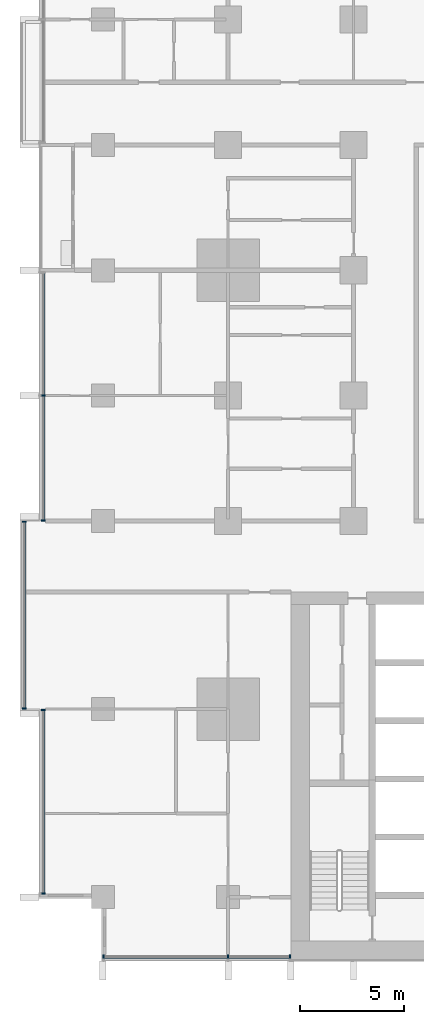
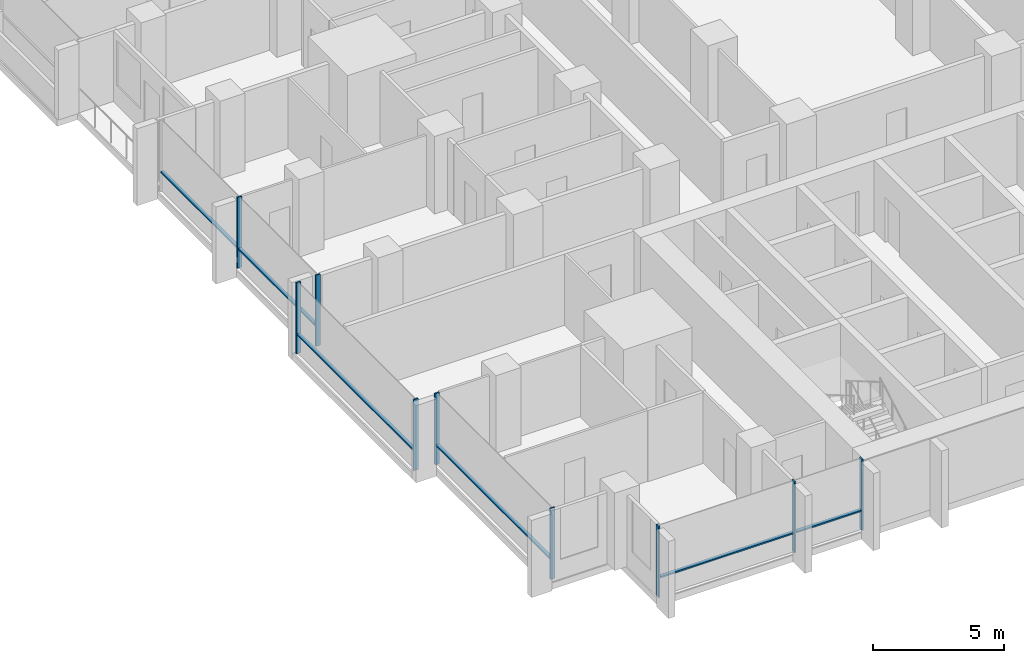
# One storey, part 2 of 18: 15 members, 4 elements without a shape of their own.
"""IFC4 building model written with IfcOpenShell, lengths in metres."""

import ifcopenshell
import ifcopenshell.guid

model = None  # the IFC model being written
_history = None  # IfcOwnerHistory: only IFC2X3 demands one
_inside = {}  # id of a spatial element -> (the spatial element, [elements in it])
_under = {}  # id of a project, library or spatial element -> (it, [spatial elements below it])
_declared = {}  # id of a project -> (the project, [libraries it declares])
_typed = {}  # id of a type object -> (the type object, [elements of that type])
_made_of = {}  # id of a material, layer set ... -> (it, [elements and type objects made of it])


def new_model(schema):
    """Start an empty IFC model of exactly this schema.

    Asked for "IFC4X3", IfcOpenShell would pick the latest addendum, in which some entities
    have other attributes; the version numbers below select the first issue.
    IFC2X3 requires an IfcOwnerHistory on every rooted entity: one is made here for all.
    """
    global model, _history
    if schema == "IFC4X3":
        model = ifcopenshell.file(schema_version=(4, 3, 0, 0))
    else:
        model = ifcopenshell.file(schema=schema)
    _inside.clear()
    _under.clear()
    _declared.clear()
    _typed.clear()
    _made_of.clear()
    _history = None
    if model.schema == "IFC2X3":
        org = make("IfcOrganization", Name="unknown")
        user = make(
            "IfcPersonAndOrganization",
            ThePerson=make("IfcPerson", FamilyName="unknown"),
            TheOrganization=org,
        )
        app = make(
            "IfcApplication",
            ApplicationDeveloper=org,
            Version="unknown",
            ApplicationFullName="unknown",
            ApplicationIdentifier="unknown",
        )
        _history = make(
            "IfcOwnerHistory",
            OwningUser=user,
            OwningApplication=app,
            ChangeAction="ADDED",
            CreationDate=0,
        )
    return model


def make(cls, **values):
    """One entity of the class cls with the attributes given. An attribute that is None is left unset."""
    return model.create_entity(
        cls, **{name: value for name, value in values.items() if value is not None}
    )


def rooted(cls, **values):
    """An entity with a GlobalId (a new one), such as an element, a storey or a relation."""
    return make(cls, GlobalId=ifcopenshell.guid.new(), OwnerHistory=_history, **values)


def si_unit(unit_type, name, prefix=None):
    """IfcSIUnit, for example si_unit("LENGTHUNIT", "METRE", prefix="MILLI")."""
    return make("IfcSIUnit", UnitType=unit_type, Prefix=prefix, Name=name)


def assignment(units):
    """IfcUnitAssignment: the units of a project."""
    return None if units is None else make("IfcUnitAssignment", Units=units)


def point(xyz):
    """IfcCartesianPoint."""
    return None if xyz is None else make("IfcCartesianPoint", Coordinates=xyz)


def direction(xyz):
    """IfcDirection."""
    return None if xyz is None else make("IfcDirection", DirectionRatios=xyz)


def frame(location, z_axis=None, x_axis=None):
    """IfcAxis2Placement3D, a coordinate frame: its origin and axes. An axis left out is left unset."""
    return make(
        "IfcAxis2Placement3D",
        Location=point(location),
        Axis=direction(z_axis),
        RefDirection=direction(x_axis),
    )


def frame_2d(location, x_axis=None):
    """IfcAxis2Placement2D, a coordinate frame in the plane: its origin and x axis."""
    return make(
        "IfcAxis2Placement2D", Location=point(location), RefDirection=direction(x_axis)
    )


def origin():
    """The frame at (0, 0, 0) with its axes left unset."""
    return frame((0.0, 0.0, 0.0))


def origin_2d():
    """The frame at (0, 0) in the plane with its x axis left unset."""
    return frame_2d((0.0, 0.0))


def place(relative_to, where):
    """IfcLocalPlacement: puts the frame where relative to a parent placement (None: the world)."""
    return make(
        "IfcLocalPlacement", PlacementRelTo=relative_to, RelativePlacement=where
    )


def context(
    kind, dimensions, precision=None, world=None, true_north=None, identifier=None
):
    """IfcGeometricRepresentationContext, for example the 3D "Model" context."""
    return make(
        "IfcGeometricRepresentationContext",
        ContextIdentifier=identifier,
        ContextType=kind,
        CoordinateSpaceDimension=dimensions,
        Precision=precision,
        WorldCoordinateSystem=world,
        TrueNorth=true_north,
    )


def subcontext(parent, identifier, kind, view, scale=None):
    """IfcGeometricRepresentationSubContext, for example "Body" below "Model"."""
    return make(
        "IfcGeometricRepresentationSubContext",
        ContextIdentifier=identifier,
        ContextType=kind,
        ParentContext=parent,
        TargetScale=scale,
        TargetView=view,
    )


def project(units=None, contexts=None):
    """IfcProject with its units and contexts."""
    return rooted(
        "IfcProject",
        Name="project",
        RepresentationContexts=contexts,
        UnitsInContext=assignment(units),
    )


def spatial(cls, under=None, at=None, **own):
    """A site, building, storey or space (cls), placed at a placement, below another one or the project."""
    s = rooted(cls, ObjectPlacement=at, **own)
    if under is not None:
        _under.setdefault(under.id(), (under, []))[1].append(s)
    return s


def profile(cls, at=None, kind="AREA", **sizes):
    """A parametric profile (cls). Its sizes go by their IFC names, for example OverallWidth=200.0."""
    return make(cls, ProfileType=kind, Position=at, **sizes)


def rectangle(**sizes):
    """IfcRectangleProfileDef."""
    return profile("IfcRectangleProfileDef", **sizes)


def extrude(swept, where, along, depth):
    """IfcExtrudedAreaSolid: the profile swept, set in the frame where, extruded along a direction by depth."""
    return make(
        "IfcExtrudedAreaSolid",
        SweptArea=swept,
        Position=where,
        ExtrudedDirection=direction(along),
        Depth=depth,
    )


def shape(context_of_items, identifier, shape_type, items):
    """IfcShapeRepresentation: the items that make up one representation, for example the "Body"."""
    return make(
        "IfcShapeRepresentation",
        ContextOfItems=context_of_items,
        RepresentationIdentifier=identifier,
        RepresentationType=shape_type,
        Items=items,
    )


def material(Name=None, Category=None):
    """IfcMaterial."""
    return make("IfcMaterial", Name=Name, Category=Category)


def material_profile(
    of_material, cross_section, Name=None, Category=None, Priority=None
):
    """IfcMaterialProfile: a cross section and its material."""
    return make(
        "IfcMaterialProfile",
        Name=Name,
        Material=of_material,
        Profile=cross_section,
        Priority=Priority,
        Category=Category,
    )


def profile_set(profiles, Name=None, composite=None):
    """IfcMaterialProfileSet."""
    return make(
        "IfcMaterialProfileSet",
        Name=Name,
        MaterialProfiles=profiles,
        CompositeProfile=composite,
    )


def made_of(thing, what):
    """Note that an element or type object is made of a material, layer set ...; save() writes the relation."""
    if what is not None:
        _made_of.setdefault(what.id(), (what, []))[1].append(thing)
    return thing


def type_object(cls, material=None, **own):
    """A type object (cls), such as IfcWallType, which elements share."""
    return made_of(rooted(cls, **own), material)


def element(
    cls,
    number,
    at=None,
    inside=None,
    cuts=None,
    type_object=None,
    material=None,
    context=None,
    identifier="Body",
    shape_type=None,
    held_by="IfcProductDefinitionShape",
    body=None,
    shapes=None,
    **own,
):
    """One element of the class cls, such as IfcWall. Its Tag is "e" and its number.

    at: its placement. inside: the storey or other place that contains it. cuts: it is an
    opening in that element (IfcRelVoidsElement). A single representation is given by context,
    identifier, shape_type and body (its items); several are given by shapes. held_by: the class
    of the entity that holds the representations. save() writes the other relations.
    """
    e = rooted(cls, Tag="e%d" % number, ObjectPlacement=at, **own)
    if body is not None:
        shapes = [shape(context, identifier, shape_type, body)]
    if shapes is not None:
        e.Representation = make(held_by, Representations=shapes)
    if inside is not None:
        _inside.setdefault(inside.id(), (inside, []))[1].append(e)
    if cuts is not None:
        rooted(
            "IfcRelVoidsElement", RelatingBuildingElement=cuts, RelatedOpeningElement=e
        )
    if type_object is not None:
        _typed.setdefault(type_object.id(), (type_object, []))[1].append(e)
    return made_of(e, material)


def aggregate(whole, parts):
    """IfcRelAggregates: a whole, such as a stair, and the parts it consists of."""
    return rooted("IfcRelAggregates", RelatingObject=whole, RelatedObjects=parts)


def save(model, path):
    """Write the relations noted so far, then the file.

    IfcRelAggregates (storeys below a building ...), IfcRelContainedInSpatialStructure (elements
    in a storey), IfcRelDefinesByType, IfcRelAssociatesMaterial and IfcRelDeclares: one each for
    every whole, place, type object, material and project.
    """
    for whole, parts in _under.values():
        aggregate(whole, parts)
    for where, things in _inside.values():
        rooted(
            "IfcRelContainedInSpatialStructure",
            RelatedElements=things,
            RelatingStructure=where,
        )
    for kind, things in _typed.values():
        rooted("IfcRelDefinesByType", RelatedObjects=things, RelatingType=kind)
    for what, things in _made_of.values():
        rooted("IfcRelAssociatesMaterial", RelatedObjects=things, RelatingMaterial=what)
    for by, libraries in _declared.values():
        rooted("IfcRelDeclares", RelatingContext=by, RelatedDefinitions=libraries)
    model.write(path)


model = new_model("IFC4")

# Units and contexts
model_context = context("Model", 3, precision=1e-05, world=origin(), true_north=direction((0.0, 1.0)))
body_context = subcontext(model_context, "Body", "Model", "MODEL_VIEW")
ifc_project = project(units=[si_unit("LENGTHUNIT", "METRE"), si_unit("AREAUNIT", "SQUARE_METRE"), si_unit("VOLUMEUNIT", "CUBIC_METRE"), si_unit("PLANEANGLEUNIT", "RADIAN"), si_unit("MASSUNIT", "GRAM", prefix="KILO")], contexts=[model_context])

# Site, building, storey
site_placement = place(None, origin())
site = spatial("IfcSite", under=ifc_project, at=site_placement, CompositionType="ELEMENT")
building_placement = place(site_placement, origin())
building = spatial("IfcBuilding", under=site, at=building_placement, Name="Finial Court Residences", CompositionType="ELEMENT")
storey_placement = place(building_placement, frame((0.0, 0.0, 39.699951171875)))
storey = spatial("IfcBuildingStorey", under=building, at=storey_placement, Name="L08", CompositionType="ELEMENT", Elevation=39.699951171875)

# Curtain wall, members
ifc_material = material(Name="Bronze anodised aluminium", Category="aluminium")
curtain_wall_type = type_object("IfcCurtainWallType", Name="Unitised curtain wall, lower and middle zones", PredefinedType="NOTDEFINED", material=ifc_material)
curtain_wall_1_placement = place(storey_placement, origin())
curtain_wall_1 = element("IfcCurtainWall", 1, at=curtain_wall_1_placement, inside=storey, type_object=curtain_wall_type, Name="E-L08-CW-S8", PredefinedType="NOTDEFINED")
ifc_material_profile_1 = material_profile(ifc_material, rectangle(XDim=0.199951171875, YDim=0.06494140625, at=origin_2d()), Name="CW1 mullion 65 x 200")
ifc_profile_set_1 = profile_set([ifc_material_profile_1], Name="Bronze anodised aluminium")
member_type_1 = type_object("IfcMemberType", Name="CW1 mullion 65 x 200", PredefinedType="MULLION", material=ifc_profile_set_1)
member_1_placement = place(storey_placement, frame((-22.467529296875, -25.35009765625, 0.0), z_axis=(0.0, 0.0, 1.0), x_axis=(0.0, 1.0, 0.0)))
member_1 = element("IfcMember", 2, at=member_1_placement, type_object=member_type_1, Name="CW1 mullion 1", PredefinedType="MULLION", context=body_context, shape_type="SweptSolid", body=[
    extrude(rectangle(XDim=0.199951171875, YDim=0.06494140625, at=origin_2d()), origin(), (0.0, 0.0, 1.0), 3.300048828125),
])
member_2_placement = place(storey_placement, frame((-16.5, -25.35009765625, 0.0), z_axis=(0.0, 0.0, 1.0), x_axis=(0.0, 1.0, 0.0)))
member_2 = element("IfcMember", 3, at=member_2_placement, type_object=member_type_1, Name="CW1 mullion 2", PredefinedType="MULLION", context=body_context, shape_type="SweptSolid", body=[
    extrude(rectangle(XDim=0.199951171875, YDim=0.06494140625, at=origin_2d()), origin(), (0.0, 0.0, 1.0), 3.300048828125),
])
member_3_placement = place(storey_placement, frame((-13.532470703125, -25.35009765625, 0.0), z_axis=(0.0, 0.0, 1.0), x_axis=(0.0, 1.0, 0.0)))
member_3 = element("IfcMember", 4, at=member_3_placement, type_object=member_type_1, Name="CW1 mullion 3", PredefinedType="MULLION", context=body_context, shape_type="SweptSolid", body=[
    extrude(rectangle(XDim=0.199951171875, YDim=0.06494140625, at=origin_2d()), origin(), (0.0, 0.0, 1.0), 3.300048828125),
])

curtain_wall_2_placement = place(storey_placement, origin())
curtain_wall_2 = element("IfcCurtainWall", 5, at=curtain_wall_2_placement, inside=storey, type_object=curtain_wall_type, Name="E-L08-CW-W10", PredefinedType="NOTDEFINED")
member_4_placement = place(storey_placement, frame((-25.35009765625, -22.3173828125, 0.0), z_axis=(0.0, 0.0, 1.0), x_axis=(-1.0, 0.0, 0.0)))
member_4 = element("IfcMember", 6, at=member_4_placement, type_object=member_type_1, Name="CW1 mullion 1", PredefinedType="MULLION", context=body_context, shape_type="SweptSolid", body=[
    extrude(rectangle(XDim=0.199951171875, YDim=0.06494140625, at=origin_2d()), origin(), (0.0, 0.0, 1.0), 3.300048828125),
])
member_5_placement = place(storey_placement, frame((-25.35009765625, -13.532470703125, 0.0), z_axis=(0.0, 0.0, 1.0), x_axis=(-1.0, 0.0, 0.0)))
member_5 = element("IfcMember", 7, at=member_5_placement, type_object=member_type_1, Name="CW1 mullion 2", PredefinedType="MULLION", context=body_context, shape_type="SweptSolid", body=[
    extrude(rectangle(XDim=0.199951171875, YDim=0.06494140625, at=origin_2d()), origin(), (0.0, 0.0, 1.0), 3.300048828125),
])

curtain_wall_3_placement = place(storey_placement, origin())
curtain_wall_3 = element("IfcCurtainWall", 8, at=curtain_wall_3_placement, inside=storey, type_object=curtain_wall_type, Name="E-L08-CW-W11", PredefinedType="NOTDEFINED")
member_6_placement = place(storey_placement, frame((-26.25, -13.467529296875, 0.0), z_axis=(0.0, 0.0, 1.0), x_axis=(-1.0, 0.0, 0.0)))
member_6 = element("IfcMember", 9, at=member_6_placement, type_object=member_type_1, Name="CW1 mullion 1", PredefinedType="MULLION", context=body_context, shape_type="SweptSolid", body=[
    extrude(rectangle(XDim=0.199951171875, YDim=0.06494140625, at=origin_2d()), origin(), (0.0, 0.0, 1.0), 3.300048828125),
])
member_7_placement = place(storey_placement, frame((-26.25, -4.532470703125, 0.0), z_axis=(0.0, 0.0, 1.0), x_axis=(-1.0, 0.0, 0.0)))
member_7 = element("IfcMember", 10, at=member_7_placement, type_object=member_type_1, Name="CW1 mullion 2", PredefinedType="MULLION", context=body_context, shape_type="SweptSolid", body=[
    extrude(rectangle(XDim=0.199951171875, YDim=0.06494140625, at=origin_2d()), origin(), (0.0, 0.0, 1.0), 3.300048828125),
])

curtain_wall_4_placement = place(storey_placement, origin())
curtain_wall_4 = element("IfcCurtainWall", 11, at=curtain_wall_4_placement, inside=storey, type_object=curtain_wall_type, Name="E-L08-CW-W12", PredefinedType="NOTDEFINED")
member_8_placement = place(storey_placement, frame((-25.35009765625, -4.467529296875, 0.0), z_axis=(0.0, 0.0, 1.0), x_axis=(-1.0, 0.0, 0.0)))
member_8 = element("IfcMember", 12, at=member_8_placement, type_object=member_type_1, Name="CW1 mullion 1", PredefinedType="MULLION", context=body_context, shape_type="SweptSolid", body=[
    extrude(rectangle(XDim=0.199951171875, YDim=0.06494140625, at=origin_2d()), origin(), (0.0, 0.0, 1.0), 3.300048828125),
])
member_9_placement = place(storey_placement, frame((-25.35009765625, 1.5, 0.0), z_axis=(0.0, 0.0, 1.0), x_axis=(-1.0, 0.0, 0.0)))
member_9 = element("IfcMember", 13, at=member_9_placement, type_object=member_type_1, Name="CW1 mullion 2", PredefinedType="MULLION", context=body_context, shape_type="SweptSolid", body=[
    extrude(rectangle(XDim=0.199951171875, YDim=0.06494140625, at=origin_2d()), origin(), (0.0, 0.0, 1.0), 3.300048828125),
])

# Member
ifc_material_profile_2 = material_profile(ifc_material, rectangle(XDim=0.14990234375, YDim=0.06494140625, at=origin_2d()), Name="CW1 transom 65 x 150")
ifc_profile_set_2 = profile_set([ifc_material_profile_2], Name="Bronze anodised aluminium")
member_type_2 = type_object("IfcMemberType", Name="CW1 transom 65 x 150", PredefinedType="USERDEFINED", material=ifc_profile_set_2)
member_10_placement = place(storey_placement, frame((-22.43505859375, -25.35009765625, 0.900146484375), z_axis=(1.0, 0.0, 0.0), x_axis=(0.0, 1.0, 0.0)))
member_10 = element("IfcMember", 14, at=member_10_placement, type_object=member_type_2, Name="CW1 transom 1.1", ObjectType="TRANSOM", PredefinedType="USERDEFINED", context=body_context, shape_type="SweptSolid", body=[
    extrude(rectangle(XDim=0.14990234375, YDim=0.06494140625, at=origin_2d()), origin(), (0.0, 0.0, 1.0), 5.902587890625),
])

member_11_placement = place(storey_placement, frame((-16.467529296875, -25.35009765625, 0.900146484375), z_axis=(1.0, 0.0, 0.0), x_axis=(0.0, 1.0, 0.0)))
member_11 = element("IfcMember", 15, at=member_11_placement, type_object=member_type_2, Name="CW1 transom 2.1", ObjectType="TRANSOM", PredefinedType="USERDEFINED", context=body_context, shape_type="SweptSolid", body=[
    extrude(rectangle(XDim=0.14990234375, YDim=0.06494140625, at=origin_2d()), origin(), (0.0, 0.0, 1.0), 2.902587890625),
])

aggregate(curtain_wall_1, [member_1, member_2, member_3, member_10, member_11])

member_12_placement = place(storey_placement, frame((-25.35009765625, -22.284912109375, 0.900146484375), z_axis=(0.0, 1.0, 0.0), x_axis=(-1.0, 0.0, 0.0)))
member_12 = element("IfcMember", 16, at=member_12_placement, type_object=member_type_2, Name="CW1 transom 1.1", ObjectType="TRANSOM", PredefinedType="USERDEFINED", context=body_context, shape_type="SweptSolid", body=[
    extrude(rectangle(XDim=0.14990234375, YDim=0.06494140625, at=origin_2d()), origin(), (0.0, 0.0, 1.0), 8.719970703125),
])

aggregate(curtain_wall_2, [member_4, member_5, member_12])

member_13_placement = place(storey_placement, frame((-26.25, -13.43505859375, 0.900146484375), z_axis=(0.0, 1.0, 0.0), x_axis=(-1.0, 0.0, 0.0)))
member_13 = element("IfcMember", 17, at=member_13_placement, type_object=member_type_2, Name="CW1 transom 1.1", ObjectType="TRANSOM", PredefinedType="USERDEFINED", context=body_context, shape_type="SweptSolid", body=[
    extrude(rectangle(XDim=0.14990234375, YDim=0.06494140625, at=origin_2d()), origin(), (0.0, 0.0, 1.0), 8.8701171875),
])

aggregate(curtain_wall_3, [member_6, member_7, member_13])

member_14_placement = place(storey_placement, frame((-25.35009765625, -4.43505859375, 0.900146484375), z_axis=(0.0, 1.0, 0.0), x_axis=(-1.0, 0.0, 0.0)))
member_14 = element("IfcMember", 18, at=member_14_placement, type_object=member_type_2, Name="CW1 transom 1.1", ObjectType="TRANSOM", PredefinedType="USERDEFINED", context=body_context, shape_type="SweptSolid", body=[
    extrude(rectangle(XDim=0.14990234375, YDim=0.06494140625, at=origin_2d()), origin(), (0.0, 0.0, 1.0), 5.902587890625),
])

member_15_placement = place(storey_placement, frame((-25.35009765625, 1.532470703125, 0.900146484375), z_axis=(0.0, 1.0, 0.0), x_axis=(-1.0, 0.0, 0.0)))
member_15 = element("IfcMember", 19, at=member_15_placement, type_object=member_type_2, Name="CW1 transom 2.1", ObjectType="TRANSOM", PredefinedType="USERDEFINED", context=body_context, shape_type="SweptSolid", body=[
    extrude(rectangle(XDim=0.14990234375, YDim=0.06494140625, at=origin_2d()), origin(), (0.0, 0.0, 1.0), 5.82763671875),
])

aggregate(curtain_wall_4, [member_8, member_9, member_14, member_15])

save(model, "model.ifc")
